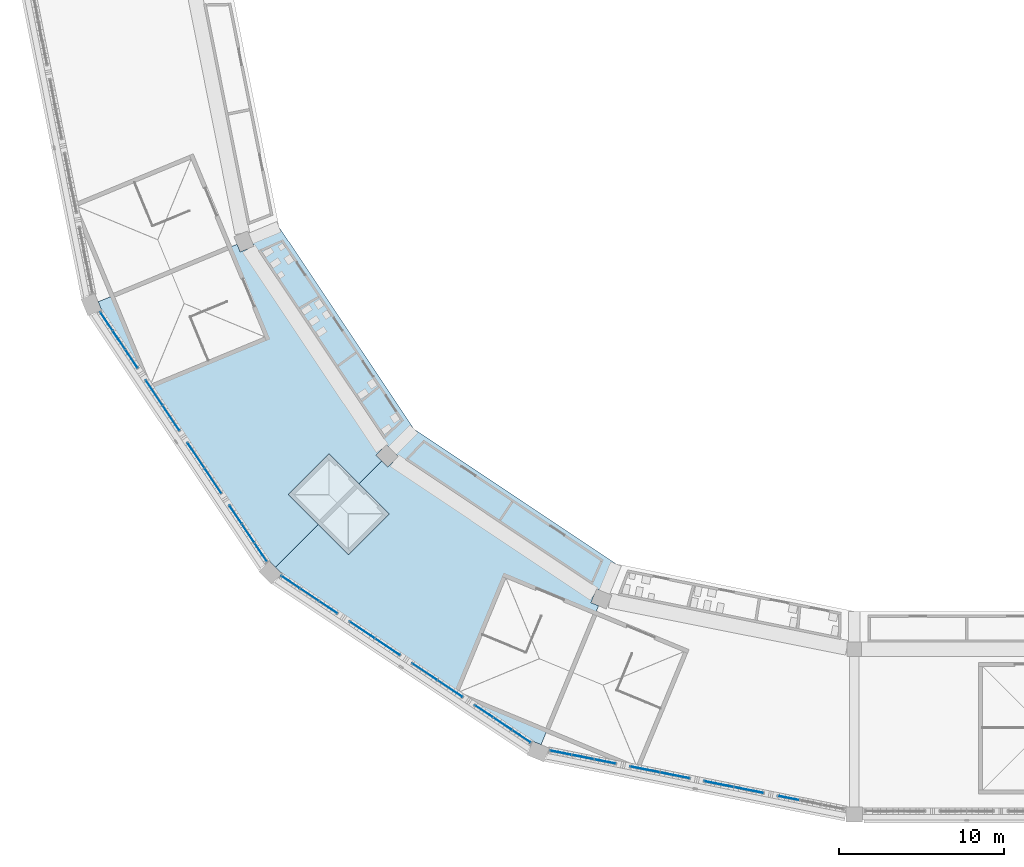
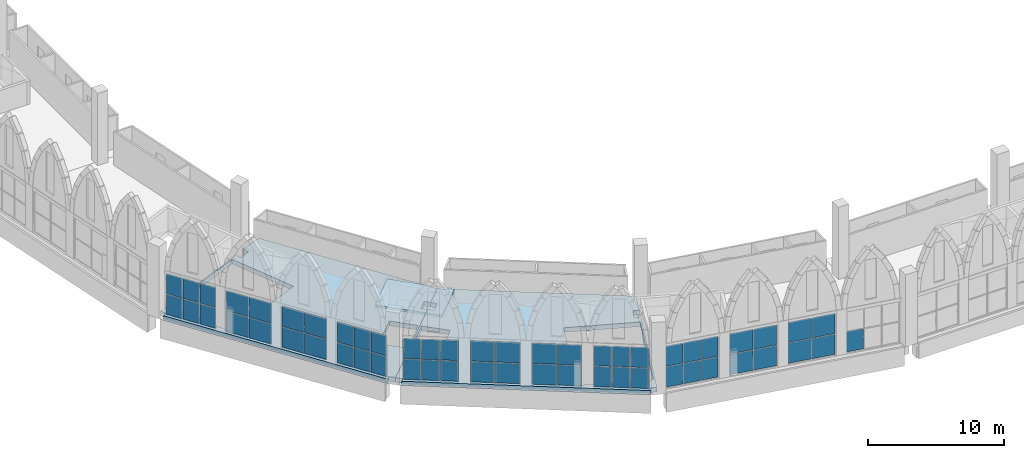
# One storey, part 48 of 130: 55 plates, 3 slabs, 12 elements without a shape of their own.
"""IFC4 building model written with IfcOpenShell, lengths in metres."""

import ifcopenshell
import ifcopenshell.guid

model = None  # the IFC model being written
_history = None  # IfcOwnerHistory: only IFC2X3 demands one
_inside = {}  # id of a spatial element -> (the spatial element, [elements in it])
_under = {}  # id of a project, library or spatial element -> (it, [spatial elements below it])
_declared = {}  # id of a project -> (the project, [libraries it declares])
_typed = {}  # id of a type object -> (the type object, [elements of that type])
_made_of = {}  # id of a material, layer set ... -> (it, [elements and type objects made of it])


def new_model(schema):
    """Start an empty IFC model of exactly this schema.

    Asked for "IFC4X3", IfcOpenShell would pick the latest addendum, in which some entities
    have other attributes; the version numbers below select the first issue.
    IFC2X3 requires an IfcOwnerHistory on every rooted entity: one is made here for all.
    """
    global model, _history
    if schema == "IFC4X3":
        model = ifcopenshell.file(schema_version=(4, 3, 0, 0))
    else:
        model = ifcopenshell.file(schema=schema)
    _inside.clear()
    _under.clear()
    _declared.clear()
    _typed.clear()
    _made_of.clear()
    _history = None
    if model.schema == "IFC2X3":
        org = make("IfcOrganization", Name="unknown")
        user = make(
            "IfcPersonAndOrganization",
            ThePerson=make("IfcPerson", FamilyName="unknown"),
            TheOrganization=org,
        )
        app = make(
            "IfcApplication",
            ApplicationDeveloper=org,
            Version="unknown",
            ApplicationFullName="unknown",
            ApplicationIdentifier="unknown",
        )
        _history = make(
            "IfcOwnerHistory",
            OwningUser=user,
            OwningApplication=app,
            ChangeAction="ADDED",
            CreationDate=0,
        )
    return model


def make(cls, **values):
    """One entity of the class cls with the attributes given. An attribute that is None is left unset."""
    return model.create_entity(
        cls, **{name: value for name, value in values.items() if value is not None}
    )


def rooted(cls, **values):
    """An entity with a GlobalId (a new one), such as an element, a storey or a relation."""
    return make(cls, GlobalId=ifcopenshell.guid.new(), OwnerHistory=_history, **values)


def si_unit(unit_type, name, prefix=None):
    """IfcSIUnit, for example si_unit("LENGTHUNIT", "METRE", prefix="MILLI")."""
    return make("IfcSIUnit", UnitType=unit_type, Prefix=prefix, Name=name)


def assignment(units):
    """IfcUnitAssignment: the units of a project."""
    return None if units is None else make("IfcUnitAssignment", Units=units)


def point(xyz):
    """IfcCartesianPoint."""
    return None if xyz is None else make("IfcCartesianPoint", Coordinates=xyz)


def direction(xyz):
    """IfcDirection."""
    return None if xyz is None else make("IfcDirection", DirectionRatios=xyz)


def frame(location, z_axis=None, x_axis=None):
    """IfcAxis2Placement3D, a coordinate frame: its origin and axes. An axis left out is left unset."""
    return make(
        "IfcAxis2Placement3D",
        Location=point(location),
        Axis=direction(z_axis),
        RefDirection=direction(x_axis),
    )


def frame_2d(location, x_axis=None):
    """IfcAxis2Placement2D, a coordinate frame in the plane: its origin and x axis."""
    return make(
        "IfcAxis2Placement2D", Location=point(location), RefDirection=direction(x_axis)
    )


def origin():
    """The frame at (0, 0, 0) with its axes left unset."""
    return frame((0.0, 0.0, 0.0))


def origin_2d():
    """The frame at (0, 0) in the plane with its x axis left unset."""
    return frame_2d((0.0, 0.0))


def place(relative_to, where):
    """IfcLocalPlacement: puts the frame where relative to a parent placement (None: the world)."""
    return make(
        "IfcLocalPlacement", PlacementRelTo=relative_to, RelativePlacement=where
    )


def context(
    kind, dimensions, precision=None, world=None, true_north=None, identifier=None
):
    """IfcGeometricRepresentationContext, for example the 3D "Model" context."""
    return make(
        "IfcGeometricRepresentationContext",
        ContextIdentifier=identifier,
        ContextType=kind,
        CoordinateSpaceDimension=dimensions,
        Precision=precision,
        WorldCoordinateSystem=world,
        TrueNorth=true_north,
    )


def subcontext(parent, identifier, kind, view, scale=None):
    """IfcGeometricRepresentationSubContext, for example "Body" below "Model"."""
    return make(
        "IfcGeometricRepresentationSubContext",
        ContextIdentifier=identifier,
        ContextType=kind,
        ParentContext=parent,
        TargetScale=scale,
        TargetView=view,
    )


def project(units=None, contexts=None):
    """IfcProject with its units and contexts."""
    return rooted(
        "IfcProject",
        Name="project",
        RepresentationContexts=contexts,
        UnitsInContext=assignment(units),
    )


def spatial(cls, under=None, at=None, **own):
    """A site, building, storey or space (cls), placed at a placement, below another one or the project."""
    s = rooted(cls, ObjectPlacement=at, **own)
    if under is not None:
        _under.setdefault(under.id(), (under, []))[1].append(s)
    return s


def polyline(points):
    """IfcPolyline through the points."""
    return make("IfcPolyline", Points=[point(p) for p in points])


def profile(cls, at=None, kind="AREA", **sizes):
    """A parametric profile (cls). Its sizes go by their IFC names, for example OverallWidth=200.0."""
    return make(cls, ProfileType=kind, Position=at, **sizes)


def rectangle(**sizes):
    """IfcRectangleProfileDef."""
    return profile("IfcRectangleProfileDef", **sizes)


def outline(outer, holes=None, kind="AREA"):
    """IfcArbitraryClosedProfileDef: a profile drawn as a closed curve; with holes, ...WithVoids."""
    if holes is None:
        return make("IfcArbitraryClosedProfileDef", ProfileType=kind, OuterCurve=outer)
    return make(
        "IfcArbitraryProfileDefWithVoids",
        ProfileType=kind,
        OuterCurve=outer,
        InnerCurves=holes,
    )


def extrude(swept, where, along, depth):
    """IfcExtrudedAreaSolid: the profile swept, set in the frame where, extruded along a direction by depth."""
    return make(
        "IfcExtrudedAreaSolid",
        SweptArea=swept,
        Position=where,
        ExtrudedDirection=direction(along),
        Depth=depth,
    )


def shape(context_of_items, identifier, shape_type, items):
    """IfcShapeRepresentation: the items that make up one representation, for example the "Body"."""
    return make(
        "IfcShapeRepresentation",
        ContextOfItems=context_of_items,
        RepresentationIdentifier=identifier,
        RepresentationType=shape_type,
        Items=items,
    )


def material(Name=None, Category=None):
    """IfcMaterial."""
    return make("IfcMaterial", Name=Name, Category=Category)


def layer(
    of_material, thickness, ventilated=None, Name=None, Category=None, Priority=None
):
    """IfcMaterialLayer: one layer of a wall or slab, of a material (None: an air gap)."""
    return make(
        "IfcMaterialLayer",
        Material=of_material,
        LayerThickness=thickness,
        IsVentilated=ventilated,
        Name=Name,
        Category=Category,
        Priority=Priority,
    )


def layer_set(layers, Name=None):
    """IfcMaterialLayerSet."""
    return make("IfcMaterialLayerSet", MaterialLayers=layers, LayerSetName=Name)


def made_of(thing, what):
    """Note that an element or type object is made of a material, layer set ...; save() writes the relation."""
    if what is not None:
        _made_of.setdefault(what.id(), (what, []))[1].append(thing)
    return thing


def type_object(cls, material=None, **own):
    """A type object (cls), such as IfcWallType, which elements share."""
    return made_of(rooted(cls, **own), material)


def element(
    cls,
    number,
    at=None,
    inside=None,
    cuts=None,
    type_object=None,
    material=None,
    context=None,
    identifier="Body",
    shape_type=None,
    held_by="IfcProductDefinitionShape",
    body=None,
    shapes=None,
    **own,
):
    """One element of the class cls, such as IfcWall. Its Tag is "e" and its number.

    at: its placement. inside: the storey or other place that contains it. cuts: it is an
    opening in that element (IfcRelVoidsElement). A single representation is given by context,
    identifier, shape_type and body (its items); several are given by shapes. held_by: the class
    of the entity that holds the representations. save() writes the other relations.
    """
    e = rooted(cls, Tag="e%d" % number, ObjectPlacement=at, **own)
    if body is not None:
        shapes = [shape(context, identifier, shape_type, body)]
    if shapes is not None:
        e.Representation = make(held_by, Representations=shapes)
    if inside is not None:
        _inside.setdefault(inside.id(), (inside, []))[1].append(e)
    if cuts is not None:
        rooted(
            "IfcRelVoidsElement", RelatingBuildingElement=cuts, RelatedOpeningElement=e
        )
    if type_object is not None:
        _typed.setdefault(type_object.id(), (type_object, []))[1].append(e)
    return made_of(e, material)


def aggregate(whole, parts):
    """IfcRelAggregates: a whole, such as a stair, and the parts it consists of."""
    return rooted("IfcRelAggregates", RelatingObject=whole, RelatedObjects=parts)


def save(model, path):
    """Write the relations noted so far, then the file.

    IfcRelAggregates (storeys below a building ...), IfcRelContainedInSpatialStructure (elements
    in a storey), IfcRelDefinesByType, IfcRelAssociatesMaterial and IfcRelDeclares: one each for
    every whole, place, type object, material and project.
    """
    for whole, parts in _under.values():
        aggregate(whole, parts)
    for where, things in _inside.values():
        rooted(
            "IfcRelContainedInSpatialStructure",
            RelatedElements=things,
            RelatingStructure=where,
        )
    for kind, things in _typed.values():
        rooted("IfcRelDefinesByType", RelatedObjects=things, RelatingType=kind)
    for what, things in _made_of.values():
        rooted("IfcRelAssociatesMaterial", RelatedObjects=things, RelatingMaterial=what)
    for by, libraries in _declared.values():
        rooted("IfcRelDeclares", RelatingContext=by, RelatedDefinitions=libraries)
    model.write(path)


model = new_model("IFC4")

# Units and contexts
model_context = context("Model", 3, precision=1e-05, world=origin(), true_north=direction((0.0, 1.0)))
body_context = subcontext(model_context, "Body", "Model", "MODEL_VIEW")
ifc_project = project(units=[si_unit("LENGTHUNIT", "METRE"), si_unit("AREAUNIT", "SQUARE_METRE"), si_unit("VOLUMEUNIT", "CUBIC_METRE"), si_unit("PLANEANGLEUNIT", "RADIAN"), si_unit("MASSUNIT", "GRAM", prefix="KILO")], contexts=[model_context])

# Site, building, storey
site_placement = place(None, origin())
site = spatial("IfcSite", under=ifc_project, at=site_placement, CompositionType="ELEMENT")
building_placement = place(site_placement, origin())
building = spatial("IfcBuilding", under=site, at=building_placement, Name="Ogive Plaza Stadium", CompositionType="ELEMENT")
storey_placement = place(building_placement, frame((0.0, 0.0, 22.5)))
storey = spatial("IfcBuildingStorey", under=building, at=storey_placement, Name="L05", CompositionType="ELEMENT", Elevation=22.5)

# Curtain wall, plate
ifc_material_1 = material(Name="Bronze-anodised aluminium with laminated glass", Category="aluminium")
curtain_wall_type = type_object("IfcCurtainWallType", Name="Lancet curtain wall", PredefinedType="NOTDEFINED", material=ifc_material_1)
curtain_wall_1_placement = place(storey_placement, origin())
curtain_wall_1 = element("IfcCurtainWall", 1, at=curtain_wall_1_placement, inside=storey, type_object=curtain_wall_type, Name="CURTAIN WALL B17 L05", PredefinedType="NOTDEFINED")
ifc_material_2 = material(Name="Laminated glass", Category="glass")
ifc_layer_1 = layer(ifc_material_2, 0.028076171875)
ifc_layer_set_1 = layer_set([ifc_layer_1], Name="Laminated glass panel 28")
plate_type = type_object("IfcPlateType", Name="Laminated glass panel 28", PredefinedType="CURTAIN_PANEL", material=ifc_layer_set_1)
plate_1_placement = place(storey_placement, frame((-37.974365234375, -101.505615234375, 0.0498046875), z_axis=(0.0, 0.0, 1.0), x_axis=(-0.980785280413, 0.195090321965, 0.0)))
plate_1 = element("IfcPlate", 2, at=plate_1_placement, type_object=plate_type, Name="CW-B17-L05.1 panel 3.1", PredefinedType="CURTAIN_PANEL", context=body_context, shape_type="SweptSolid", body=[
    extrude(rectangle(XDim=1.310791015625, YDim=0.028076171875, at=origin_2d()), origin(), (0.0, 0.0, 1.0), 1.824951171875),
])
aggregate(curtain_wall_1, [plate_1])

# Curtain wall, plates
curtain_wall_2_placement = place(storey_placement, origin())
curtain_wall_2 = element("IfcCurtainWall", 3, at=curtain_wall_2_placement, inside=storey, type_object=curtain_wall_type, Name="CURTAIN WALL B17 L05", PredefinedType="NOTDEFINED")
plate_2_placement = place(storey_placement, frame((-40.38427734375, -101.026123046875, 0.0498046875), z_axis=(0.0, 0.0, 1.0), x_axis=(-0.980785280427, 0.195090321896, 0.0)))
plate_2 = element("IfcPlate", 4, at=plate_2_placement, type_object=plate_type, Name="CW-B17-L05.2 panel 1.1", PredefinedType="CURTAIN_PANEL", context=body_context, shape_type="SweptSolid", body=[
    extrude(rectangle(XDim=1.803466796875, YDim=0.028076171875, at=origin_2d()), origin(), (0.0, 0.0, 1.0), 1.824951171875),
])
plate_3_placement = place(storey_placement, frame((-40.38427734375, -101.026123046875, 1.9248046875), z_axis=(0.0, 0.0, 1.0), x_axis=(-0.980785280427, 0.195090321896, 0.0)))
plate_3 = element("IfcPlate", 5, at=plate_3_placement, type_object=plate_type, Name="CW-B17-L05.2 panel 1.2", PredefinedType="CURTAIN_PANEL", context=body_context, shape_type="SweptSolid", body=[
    extrude(rectangle(XDim=1.803466796875, YDim=0.028076171875, at=origin_2d()), origin(), (0.0, 0.0, 1.0), 1.824951171875),
])
plate_4_placement = place(storey_placement, frame((-42.2021484375, -100.66455078125, 0.0498046875), z_axis=(0.0, 0.0, 1.0), x_axis=(-0.980785280427, 0.195090321896, 0.0)))
plate_4 = element("IfcPlate", 6, at=plate_4_placement, type_object=plate_type, Name="CW-B17-L05.2 panel 2.1", PredefinedType="CURTAIN_PANEL", context=body_context, shape_type="SweptSolid", body=[
    extrude(rectangle(XDim=1.803466796875, YDim=0.028076171875, at=origin_2d()), origin(), (0.0, 0.0, 1.0), 1.824951171875),
])
plate_5_placement = place(storey_placement, frame((-42.2021484375, -100.66455078125, 1.9248046875), z_axis=(0.0, 0.0, 1.0), x_axis=(-0.980785280427, 0.195090321896, 0.0)))
plate_5 = element("IfcPlate", 7, at=plate_5_placement, type_object=plate_type, Name="CW-B17-L05.2 panel 2.2", PredefinedType="CURTAIN_PANEL", context=body_context, shape_type="SweptSolid", body=[
    extrude(rectangle(XDim=1.803466796875, YDim=0.028076171875, at=origin_2d()), origin(), (0.0, 0.0, 1.0), 1.824951171875),
])
aggregate(curtain_wall_2, [plate_2, plate_3, plate_4, plate_5])

curtain_wall_3_placement = place(storey_placement, origin())
curtain_wall_3 = element("IfcCurtainWall", 8, at=curtain_wall_3_placement, inside=storey, type_object=curtain_wall_type, Name="CURTAIN WALL B17 L05", PredefinedType="NOTDEFINED")
plate_6_placement = place(storey_placement, frame((-44.853759765625, -100.13720703125, 0.0498046875), z_axis=(0.0, 0.0, 1.0), x_axis=(-0.980785280376, 0.195090322153, 0.0)))
plate_6 = element("IfcPlate", 9, at=plate_6_placement, type_object=plate_type, Name="CW-B17-L05.3 panel 1.1", PredefinedType="CURTAIN_PANEL", context=body_context, shape_type="SweptSolid", body=[
    extrude(rectangle(XDim=1.803466796875, YDim=0.028076171875, at=origin_2d()), origin(), (0.0, 0.0, 1.0), 1.824951171875),
])
plate_7_placement = place(storey_placement, frame((-44.853759765625, -100.13720703125, 1.9248046875), z_axis=(0.0, 0.0, 1.0), x_axis=(-0.980785280376, 0.195090322153, 0.0)))
plate_7 = element("IfcPlate", 10, at=plate_7_placement, type_object=plate_type, Name="CW-B17-L05.3 panel 1.2", PredefinedType="CURTAIN_PANEL", context=body_context, shape_type="SweptSolid", body=[
    extrude(rectangle(XDim=1.803466796875, YDim=0.028076171875, at=origin_2d()), origin(), (0.0, 0.0, 1.0), 1.824951171875),
])
plate_8_placement = place(storey_placement, frame((-46.671875, -99.775390625, 0.0498046875), z_axis=(0.0, 0.0, 1.0), x_axis=(-0.980785280376, 0.195090322153, 0.0)))
plate_8 = element("IfcPlate", 11, at=plate_8_placement, type_object=plate_type, Name="CW-B17-L05.3 panel 2.1", PredefinedType="CURTAIN_PANEL", context=body_context, shape_type="SweptSolid", body=[
    extrude(rectangle(XDim=1.803466796875, YDim=0.028076171875, at=origin_2d()), origin(), (0.0, 0.0, 1.0), 1.824951171875),
])
plate_9_placement = place(storey_placement, frame((-46.671875, -99.775390625, 1.9248046875), z_axis=(0.0, 0.0, 1.0), x_axis=(-0.980785280376, 0.195090322153, 0.0)))
plate_9 = element("IfcPlate", 12, at=plate_9_placement, type_object=plate_type, Name="CW-B17-L05.3 panel 2.2", PredefinedType="CURTAIN_PANEL", context=body_context, shape_type="SweptSolid", body=[
    extrude(rectangle(XDim=1.803466796875, YDim=0.028076171875, at=origin_2d()), origin(), (0.0, 0.0, 1.0), 1.824951171875),
])
aggregate(curtain_wall_3, [plate_6, plate_7, plate_8, plate_9])

curtain_wall_4_placement = place(storey_placement, origin())
curtain_wall_4 = element("IfcCurtainWall", 13, at=curtain_wall_4_placement, inside=storey, type_object=curtain_wall_type, Name="CURTAIN WALL B17 L05", PredefinedType="NOTDEFINED")
plate_10_placement = place(storey_placement, frame((-49.081787109375, -99.296142578125, 0.0498046875), z_axis=(0.0, 0.0, 1.0), x_axis=(-0.980785280413, 0.195090321965, 0.0)))
plate_10 = element("IfcPlate", 14, at=plate_10_placement, type_object=plate_type, Name="CW-B17-L05.4 panel 1.1", PredefinedType="CURTAIN_PANEL", context=body_context, shape_type="SweptSolid", body=[
    extrude(rectangle(XDim=1.310791015625, YDim=0.028076171875, at=origin_2d()), origin(), (0.0, 0.0, 1.0), 1.824951171875),
])
plate_11_placement = place(storey_placement, frame((-49.081787109375, -99.296142578125, 1.9248046875), z_axis=(0.0, 0.0, 1.0), x_axis=(-0.980785280413, 0.195090321965, 0.0)))
plate_11 = element("IfcPlate", 15, at=plate_11_placement, type_object=plate_type, Name="CW-B17-L05.4 panel 1.2", PredefinedType="CURTAIN_PANEL", context=body_context, shape_type="SweptSolid", body=[
    extrude(rectangle(XDim=1.310791015625, YDim=0.028076171875, at=origin_2d()), origin(), (0.0, 0.0, 1.0), 1.824951171875),
])
plate_12_placement = place(storey_placement, frame((-50.428466796875, -99.0283203125, 0.0498046875), z_axis=(0.0, 0.0, 1.0), x_axis=(-0.980785280413, 0.195090321965, 0.0)))
plate_12 = element("IfcPlate", 16, at=plate_12_placement, type_object=plate_type, Name="CW-B17-L05.4 panel 2.1", PredefinedType="CURTAIN_PANEL", context=body_context, shape_type="SweptSolid", body=[
    extrude(rectangle(XDim=1.335693359375, YDim=0.028076171875, at=origin_2d()), origin(), (0.0, 0.0, 1.0), 1.824951171875),
])
plate_13_placement = place(storey_placement, frame((-50.428466796875, -99.0283203125, 1.9248046875), z_axis=(0.0, 0.0, 1.0), x_axis=(-0.980785280413, 0.195090321965, 0.0)))
plate_13 = element("IfcPlate", 17, at=plate_13_placement, type_object=plate_type, Name="CW-B17-L05.4 panel 2.2", PredefinedType="CURTAIN_PANEL", context=body_context, shape_type="SweptSolid", body=[
    extrude(rectangle(XDim=1.335693359375, YDim=0.028076171875, at=origin_2d()), origin(), (0.0, 0.0, 1.0), 1.824951171875),
])
plate_14_placement = place(storey_placement, frame((-51.775390625, -98.76025390625, 0.0498046875), z_axis=(0.0, 0.0, 1.0), x_axis=(-0.980785280413, 0.195090321965, 0.0)))
plate_14 = element("IfcPlate", 18, at=plate_14_placement, type_object=plate_type, Name="CW-B17-L05.4 panel 3.1", PredefinedType="CURTAIN_PANEL", context=body_context, shape_type="SweptSolid", body=[
    extrude(rectangle(XDim=1.310791015625, YDim=0.028076171875, at=origin_2d()), origin(), (0.0, 0.0, 1.0), 1.824951171875),
])
plate_15_placement = place(storey_placement, frame((-51.775390625, -98.76025390625, 1.9248046875), z_axis=(0.0, 0.0, 1.0), x_axis=(-0.980785280413, 0.195090321965, 0.0)))
plate_15 = element("IfcPlate", 19, at=plate_15_placement, type_object=plate_type, Name="CW-B17-L05.4 panel 3.2", PredefinedType="CURTAIN_PANEL", context=body_context, shape_type="SweptSolid", body=[
    extrude(rectangle(XDim=1.310791015625, YDim=0.028076171875, at=origin_2d()), origin(), (0.0, 0.0, 1.0), 1.824951171875),
])
aggregate(curtain_wall_4, [plate_10, plate_11, plate_12, plate_13, plate_14, plate_15])

curtain_wall_5_placement = place(storey_placement, origin())
curtain_wall_5 = element("IfcCurtainWall", 20, at=curtain_wall_5_placement, inside=storey, type_object=curtain_wall_type, Name="CURTAIN WALL B18 L05", PredefinedType="NOTDEFINED")
plate_16_placement = place(storey_placement, frame((-54.141845703125, -97.780029296875, 0.0498046875), z_axis=(0.0, 0.0, 1.0), x_axis=(-0.83146961239, 0.555570232889, 0.0)))
plate_16 = element("IfcPlate", 21, at=plate_16_placement, type_object=plate_type, Name="CW-B18-L05.1 panel 1.1", PredefinedType="CURTAIN_PANEL", context=body_context, shape_type="SweptSolid", body=[
    extrude(rectangle(XDim=1.310791015625, YDim=0.028076171875, at=origin_2d()), origin(), (0.0, 0.0, 1.0), 1.824951171875),
])
plate_17_placement = place(storey_placement, frame((-54.141845703125, -97.780029296875, 1.9248046875), z_axis=(0.0, 0.0, 1.0), x_axis=(-0.83146961239, 0.555570232889, 0.0)))
plate_17 = element("IfcPlate", 22, at=plate_17_placement, type_object=plate_type, Name="CW-B18-L05.1 panel 1.2", PredefinedType="CURTAIN_PANEL", context=body_context, shape_type="SweptSolid", body=[
    extrude(rectangle(XDim=1.310791015625, YDim=0.028076171875, at=origin_2d()), origin(), (0.0, 0.0, 1.0), 1.824951171875),
])
plate_18_placement = place(storey_placement, frame((-55.28369140625, -97.01708984375, 0.0498046875), z_axis=(0.0, 0.0, 1.0), x_axis=(-0.83146961239, 0.555570232889, 0.0)))
plate_18 = element("IfcPlate", 23, at=plate_18_placement, type_object=plate_type, Name="CW-B18-L05.1 panel 2.1", PredefinedType="CURTAIN_PANEL", context=body_context, shape_type="SweptSolid", body=[
    extrude(rectangle(XDim=1.335693359375, YDim=0.028076171875, at=origin_2d()), origin(), (0.0, 0.0, 1.0), 1.824951171875),
])
plate_19_placement = place(storey_placement, frame((-55.28369140625, -97.01708984375, 1.9248046875), z_axis=(0.0, 0.0, 1.0), x_axis=(-0.83146961239, 0.555570232889, 0.0)))
plate_19 = element("IfcPlate", 24, at=plate_19_placement, type_object=plate_type, Name="CW-B18-L05.1 panel 2.2", PredefinedType="CURTAIN_PANEL", context=body_context, shape_type="SweptSolid", body=[
    extrude(rectangle(XDim=1.335693359375, YDim=0.028076171875, at=origin_2d()), origin(), (0.0, 0.0, 1.0), 1.824951171875),
])
plate_20_placement = place(storey_placement, frame((-56.425537109375, -96.254150390625, 0.0498046875), z_axis=(0.0, 0.0, 1.0), x_axis=(-0.83146961239, 0.555570232889, 0.0)))
plate_20 = element("IfcPlate", 25, at=plate_20_placement, type_object=plate_type, Name="CW-B18-L05.1 panel 3.1", PredefinedType="CURTAIN_PANEL", context=body_context, shape_type="SweptSolid", body=[
    extrude(rectangle(XDim=1.310791015625, YDim=0.028076171875, at=origin_2d()), origin(), (0.0, 0.0, 1.0), 1.824951171875),
])
plate_21_placement = place(storey_placement, frame((-56.425537109375, -96.254150390625, 1.9248046875), z_axis=(0.0, 0.0, 1.0), x_axis=(-0.83146961239, 0.555570232889, 0.0)))
plate_21 = element("IfcPlate", 26, at=plate_21_placement, type_object=plate_type, Name="CW-B18-L05.1 panel 3.2", PredefinedType="CURTAIN_PANEL", context=body_context, shape_type="SweptSolid", body=[
    extrude(rectangle(XDim=1.310791015625, YDim=0.028076171875, at=origin_2d()), origin(), (0.0, 0.0, 1.0), 1.824951171875),
])
aggregate(curtain_wall_5, [plate_16, plate_17, plate_18, plate_19, plate_20, plate_21])

curtain_wall_6_placement = place(storey_placement, origin())
curtain_wall_6 = element("IfcCurtainWall", 27, at=curtain_wall_6_placement, inside=storey, type_object=curtain_wall_type, Name="CURTAIN WALL B18 L05", PredefinedType="NOTDEFINED")
plate_22_placement = place(storey_placement, frame((-58.468505859375, -94.88916015625, 0.0498046875), z_axis=(0.0, 0.0, 1.0), x_axis=(-0.831469612157, 0.555570233237, 0.0)))
plate_22 = element("IfcPlate", 28, at=plate_22_placement, type_object=plate_type, Name="CW-B18-L05.2 panel 1.1", PredefinedType="CURTAIN_PANEL", context=body_context, shape_type="SweptSolid", body=[
    extrude(rectangle(XDim=1.803466796875, YDim=0.028076171875, at=origin_2d()), origin(), (0.0, 0.0, 1.0), 1.824951171875),
])
plate_23_placement = place(storey_placement, frame((-58.468505859375, -94.88916015625, 1.9248046875), z_axis=(0.0, 0.0, 1.0), x_axis=(-0.831469612157, 0.555570233237, 0.0)))
plate_23 = element("IfcPlate", 29, at=plate_23_placement, type_object=plate_type, Name="CW-B18-L05.2 panel 1.2", PredefinedType="CURTAIN_PANEL", context=body_context, shape_type="SweptSolid", body=[
    extrude(rectangle(XDim=1.803466796875, YDim=0.028076171875, at=origin_2d()), origin(), (0.0, 0.0, 1.0), 1.824951171875),
])
plate_24_placement = place(storey_placement, frame((-60.009765625, -93.859375, 0.0498046875), z_axis=(0.0, 0.0, 1.0), x_axis=(-0.831469612157, 0.555570233237, 0.0)))
plate_24 = element("IfcPlate", 30, at=plate_24_placement, type_object=plate_type, Name="CW-B18-L05.2 panel 2.1", PredefinedType="CURTAIN_PANEL", context=body_context, shape_type="SweptSolid", body=[
    extrude(rectangle(XDim=1.803466796875, YDim=0.028076171875, at=origin_2d()), origin(), (0.0, 0.0, 1.0), 1.824951171875),
])
plate_25_placement = place(storey_placement, frame((-60.009765625, -93.859375, 1.9248046875), z_axis=(0.0, 0.0, 1.0), x_axis=(-0.831469612157, 0.555570233237, 0.0)))
plate_25 = element("IfcPlate", 31, at=plate_25_placement, type_object=plate_type, Name="CW-B18-L05.2 panel 2.2", PredefinedType="CURTAIN_PANEL", context=body_context, shape_type="SweptSolid", body=[
    extrude(rectangle(XDim=1.803466796875, YDim=0.028076171875, at=origin_2d()), origin(), (0.0, 0.0, 1.0), 1.824951171875),
])
aggregate(curtain_wall_6, [plate_22, plate_23, plate_24, plate_25])

curtain_wall_7_placement = place(storey_placement, origin())
curtain_wall_7 = element("IfcCurtainWall", 32, at=curtain_wall_7_placement, inside=storey, type_object=curtain_wall_type, Name="CURTAIN WALL B18 L05", PredefinedType="NOTDEFINED")
plate_26_placement = place(storey_placement, frame((-62.257568359375, -92.357421875, 0.0498046875), z_axis=(0.0, 0.0, 1.0), x_axis=(-0.831469612235, 0.555570233121, 0.0)))
plate_26 = element("IfcPlate", 33, at=plate_26_placement, type_object=plate_type, Name="CW-B18-L05.3 panel 1.1", PredefinedType="CURTAIN_PANEL", context=body_context, shape_type="SweptSolid", body=[
    extrude(rectangle(XDim=1.803466796875, YDim=0.028076171875, at=origin_2d()), origin(), (0.0, 0.0, 1.0), 1.824951171875),
])
plate_27_placement = place(storey_placement, frame((-62.257568359375, -92.357421875, 1.9248046875), z_axis=(0.0, 0.0, 1.0), x_axis=(-0.831469612235, 0.555570233121, 0.0)))
plate_27 = element("IfcPlate", 34, at=plate_27_placement, type_object=plate_type, Name="CW-B18-L05.3 panel 1.2", PredefinedType="CURTAIN_PANEL", context=body_context, shape_type="SweptSolid", body=[
    extrude(rectangle(XDim=1.803466796875, YDim=0.028076171875, at=origin_2d()), origin(), (0.0, 0.0, 1.0), 1.824951171875),
])
plate_28_placement = place(storey_placement, frame((-63.798828125, -91.32763671875, 0.0498046875), z_axis=(0.0, 0.0, 1.0), x_axis=(-0.831469612235, 0.555570233121, 0.0)))
plate_28 = element("IfcPlate", 35, at=plate_28_placement, type_object=plate_type, Name="CW-B18-L05.3 panel 2.1", PredefinedType="CURTAIN_PANEL", context=body_context, shape_type="SweptSolid", body=[
    extrude(rectangle(XDim=1.803466796875, YDim=0.028076171875, at=origin_2d()), origin(), (0.0, 0.0, 1.0), 1.824951171875),
])
plate_29_placement = place(storey_placement, frame((-63.798828125, -91.32763671875, 1.9248046875), z_axis=(0.0, 0.0, 1.0), x_axis=(-0.831469612235, 0.555570233121, 0.0)))
plate_29 = element("IfcPlate", 36, at=plate_29_placement, type_object=plate_type, Name="CW-B18-L05.3 panel 2.2", PredefinedType="CURTAIN_PANEL", context=body_context, shape_type="SweptSolid", body=[
    extrude(rectangle(XDim=1.803466796875, YDim=0.028076171875, at=origin_2d()), origin(), (0.0, 0.0, 1.0), 1.824951171875),
])
aggregate(curtain_wall_7, [plate_26, plate_27, plate_28, plate_29])

curtain_wall_8_placement = place(storey_placement, origin())
curtain_wall_8 = element("IfcCurtainWall", 37, at=curtain_wall_8_placement, inside=storey, type_object=curtain_wall_type, Name="CURTAIN WALL B18 L05", PredefinedType="NOTDEFINED")
plate_30_placement = place(storey_placement, frame((-65.841796875, -89.96240234375, 0.0498046875), z_axis=(0.0, 0.0, 1.0), x_axis=(-0.831469612312, 0.555570233005, 0.0)))
plate_30 = element("IfcPlate", 38, at=plate_30_placement, type_object=plate_type, Name="CW-B18-L05.4 panel 1.1", PredefinedType="CURTAIN_PANEL", context=body_context, shape_type="SweptSolid", body=[
    extrude(rectangle(XDim=1.310791015625, YDim=0.028076171875, at=origin_2d()), origin(), (0.0, 0.0, 1.0), 1.824951171875),
])
plate_31_placement = place(storey_placement, frame((-65.841796875, -89.96240234375, 1.9248046875), z_axis=(0.0, 0.0, 1.0), x_axis=(-0.831469612312, 0.555570233005, 0.0)))
plate_31 = element("IfcPlate", 39, at=plate_31_placement, type_object=plate_type, Name="CW-B18-L05.4 panel 1.2", PredefinedType="CURTAIN_PANEL", context=body_context, shape_type="SweptSolid", body=[
    extrude(rectangle(XDim=1.310791015625, YDim=0.028076171875, at=origin_2d()), origin(), (0.0, 0.0, 1.0), 1.824951171875),
])
plate_32_placement = place(storey_placement, frame((-66.983642578125, -89.199462890625, 0.0498046875), z_axis=(0.0, 0.0, 1.0), x_axis=(-0.831469612312, 0.555570233005, 0.0)))
plate_32 = element("IfcPlate", 40, at=plate_32_placement, type_object=plate_type, Name="CW-B18-L05.4 panel 2.1", PredefinedType="CURTAIN_PANEL", context=body_context, shape_type="SweptSolid", body=[
    extrude(rectangle(XDim=1.335693359375, YDim=0.028076171875, at=origin_2d()), origin(), (0.0, 0.0, 1.0), 1.824951171875),
])
plate_33_placement = place(storey_placement, frame((-66.983642578125, -89.199462890625, 1.9248046875), z_axis=(0.0, 0.0, 1.0), x_axis=(-0.831469612312, 0.555570233005, 0.0)))
plate_33 = element("IfcPlate", 41, at=plate_33_placement, type_object=plate_type, Name="CW-B18-L05.4 panel 2.2", PredefinedType="CURTAIN_PANEL", context=body_context, shape_type="SweptSolid", body=[
    extrude(rectangle(XDim=1.335693359375, YDim=0.028076171875, at=origin_2d()), origin(), (0.0, 0.0, 1.0), 1.824951171875),
])
plate_34_placement = place(storey_placement, frame((-68.125244140625, -88.436767578125, 0.0498046875), z_axis=(0.0, 0.0, 1.0), x_axis=(-0.831469612312, 0.555570233005, 0.0)))
plate_34 = element("IfcPlate", 42, at=plate_34_placement, type_object=plate_type, Name="CW-B18-L05.4 panel 3.1", PredefinedType="CURTAIN_PANEL", context=body_context, shape_type="SweptSolid", body=[
    extrude(rectangle(XDim=1.310791015625, YDim=0.028076171875, at=origin_2d()), origin(), (0.0, 0.0, 1.0), 1.824951171875),
])
plate_35_placement = place(storey_placement, frame((-68.125244140625, -88.436767578125, 1.9248046875), z_axis=(0.0, 0.0, 1.0), x_axis=(-0.831469612312, 0.555570233005, 0.0)))
plate_35 = element("IfcPlate", 43, at=plate_35_placement, type_object=plate_type, Name="CW-B18-L05.4 panel 3.2", PredefinedType="CURTAIN_PANEL", context=body_context, shape_type="SweptSolid", body=[
    extrude(rectangle(XDim=1.310791015625, YDim=0.028076171875, at=origin_2d()), origin(), (0.0, 0.0, 1.0), 1.824951171875),
])
aggregate(curtain_wall_8, [plate_30, plate_31, plate_32, plate_33, plate_34, plate_35])

curtain_wall_9_placement = place(storey_placement, origin())
curtain_wall_9 = element("IfcCurtainWall", 44, at=curtain_wall_9_placement, inside=storey, type_object=curtain_wall_type, Name="CURTAIN WALL B19 L05", PredefinedType="NOTDEFINED")
plate_36_placement = place(storey_placement, frame((-69.936767578125, -86.625244140625, 0.0498046875), z_axis=(0.0, 0.0, 1.0), x_axis=(-0.555570233005, 0.831469612312, 0.0)))
plate_36 = element("IfcPlate", 45, at=plate_36_placement, type_object=plate_type, Name="CW-B19-L05.1 panel 1.1", PredefinedType="CURTAIN_PANEL", context=body_context, shape_type="SweptSolid", body=[
    extrude(rectangle(XDim=1.310791015625, YDim=0.028076171875, at=origin_2d()), origin(), (0.0, 0.0, 1.0), 1.824951171875),
])
plate_37_placement = place(storey_placement, frame((-69.936767578125, -86.625244140625, 1.9248046875), z_axis=(0.0, 0.0, 1.0), x_axis=(-0.555570233005, 0.831469612312, 0.0)))
plate_37 = element("IfcPlate", 46, at=plate_37_placement, type_object=plate_type, Name="CW-B19-L05.1 panel 1.2", PredefinedType="CURTAIN_PANEL", context=body_context, shape_type="SweptSolid", body=[
    extrude(rectangle(XDim=1.310791015625, YDim=0.028076171875, at=origin_2d()), origin(), (0.0, 0.0, 1.0), 1.824951171875),
])
plate_38_placement = place(storey_placement, frame((-70.699462890625, -85.483642578125, 0.0498046875), z_axis=(0.0, 0.0, 1.0), x_axis=(-0.555570233005, 0.831469612312, 0.0)))
plate_38 = element("IfcPlate", 47, at=plate_38_placement, type_object=plate_type, Name="CW-B19-L05.1 panel 2.1", PredefinedType="CURTAIN_PANEL", context=body_context, shape_type="SweptSolid", body=[
    extrude(rectangle(XDim=1.335693359375, YDim=0.028076171875, at=origin_2d()), origin(), (0.0, 0.0, 1.0), 1.824951171875),
])
plate_39_placement = place(storey_placement, frame((-70.699462890625, -85.483642578125, 1.9248046875), z_axis=(0.0, 0.0, 1.0), x_axis=(-0.555570233005, 0.831469612312, 0.0)))
plate_39 = element("IfcPlate", 48, at=plate_39_placement, type_object=plate_type, Name="CW-B19-L05.1 panel 2.2", PredefinedType="CURTAIN_PANEL", context=body_context, shape_type="SweptSolid", body=[
    extrude(rectangle(XDim=1.335693359375, YDim=0.028076171875, at=origin_2d()), origin(), (0.0, 0.0, 1.0), 1.824951171875),
])
plate_40_placement = place(storey_placement, frame((-71.46240234375, -84.341796875, 0.0498046875), z_axis=(0.0, 0.0, 1.0), x_axis=(-0.555570233005, 0.831469612312, 0.0)))
plate_40 = element("IfcPlate", 49, at=plate_40_placement, type_object=plate_type, Name="CW-B19-L05.1 panel 3.1", PredefinedType="CURTAIN_PANEL", context=body_context, shape_type="SweptSolid", body=[
    extrude(rectangle(XDim=1.310791015625, YDim=0.028076171875, at=origin_2d()), origin(), (0.0, 0.0, 1.0), 1.824951171875),
])
plate_41_placement = place(storey_placement, frame((-71.46240234375, -84.341796875, 1.9248046875), z_axis=(0.0, 0.0, 1.0), x_axis=(-0.555570233005, 0.831469612312, 0.0)))
plate_41 = element("IfcPlate", 50, at=plate_41_placement, type_object=plate_type, Name="CW-B19-L05.1 panel 3.2", PredefinedType="CURTAIN_PANEL", context=body_context, shape_type="SweptSolid", body=[
    extrude(rectangle(XDim=1.310791015625, YDim=0.028076171875, at=origin_2d()), origin(), (0.0, 0.0, 1.0), 1.824951171875),
])
aggregate(curtain_wall_9, [plate_36, plate_37, plate_38, plate_39, plate_40, plate_41])

curtain_wall_10_placement = place(storey_placement, origin())
curtain_wall_10 = element("IfcCurtainWall", 51, at=curtain_wall_10_placement, inside=storey, type_object=curtain_wall_type, Name="CURTAIN WALL B19 L05", PredefinedType="NOTDEFINED")
plate_42_placement = place(storey_placement, frame((-72.82763671875, -82.298828125, 0.0498046875), z_axis=(0.0, 0.0, 1.0), x_axis=(-0.555570233121, 0.831469612235, 0.0)))
plate_42 = element("IfcPlate", 52, at=plate_42_placement, type_object=plate_type, Name="CW-B19-L05.2 panel 1.1", PredefinedType="CURTAIN_PANEL", context=body_context, shape_type="SweptSolid", body=[
    extrude(rectangle(XDim=1.803466796875, YDim=0.028076171875, at=origin_2d()), origin(), (0.0, 0.0, 1.0), 1.824951171875),
])
plate_43_placement = place(storey_placement, frame((-72.82763671875, -82.298828125, 1.9248046875), z_axis=(0.0, 0.0, 1.0), x_axis=(-0.555570233121, 0.831469612235, 0.0)))
plate_43 = element("IfcPlate", 53, at=plate_43_placement, type_object=plate_type, Name="CW-B19-L05.2 panel 1.2", PredefinedType="CURTAIN_PANEL", context=body_context, shape_type="SweptSolid", body=[
    extrude(rectangle(XDim=1.803466796875, YDim=0.028076171875, at=origin_2d()), origin(), (0.0, 0.0, 1.0), 1.824951171875),
])
plate_44_placement = place(storey_placement, frame((-73.857421875, -80.757568359375, 0.0498046875), z_axis=(0.0, 0.0, 1.0), x_axis=(-0.555570233121, 0.831469612235, 0.0)))
plate_44 = element("IfcPlate", 54, at=plate_44_placement, type_object=plate_type, Name="CW-B19-L05.2 panel 2.1", PredefinedType="CURTAIN_PANEL", context=body_context, shape_type="SweptSolid", body=[
    extrude(rectangle(XDim=1.803466796875, YDim=0.028076171875, at=origin_2d()), origin(), (0.0, 0.0, 1.0), 1.824951171875),
])
plate_45_placement = place(storey_placement, frame((-73.857421875, -80.757568359375, 1.9248046875), z_axis=(0.0, 0.0, 1.0), x_axis=(-0.555570233121, 0.831469612235, 0.0)))
plate_45 = element("IfcPlate", 55, at=plate_45_placement, type_object=plate_type, Name="CW-B19-L05.2 panel 2.2", PredefinedType="CURTAIN_PANEL", context=body_context, shape_type="SweptSolid", body=[
    extrude(rectangle(XDim=1.803466796875, YDim=0.028076171875, at=origin_2d()), origin(), (0.0, 0.0, 1.0), 1.824951171875),
])
aggregate(curtain_wall_10, [plate_42, plate_43, plate_44, plate_45])

curtain_wall_11_placement = place(storey_placement, origin())
curtain_wall_11 = element("IfcCurtainWall", 56, at=curtain_wall_11_placement, inside=storey, type_object=curtain_wall_type, Name="CURTAIN WALL B19 L05", PredefinedType="NOTDEFINED")
plate_46_placement = place(storey_placement, frame((-75.359375, -78.509765625, 0.0498046875), z_axis=(0.0, 0.0, 1.0), x_axis=(-0.555570233237, 0.831469612157, 0.0)))
plate_46 = element("IfcPlate", 57, at=plate_46_placement, type_object=plate_type, Name="CW-B19-L05.3 panel 1.1", PredefinedType="CURTAIN_PANEL", context=body_context, shape_type="SweptSolid", body=[
    extrude(rectangle(XDim=1.803466796875, YDim=0.028076171875, at=origin_2d()), origin(), (0.0, 0.0, 1.0), 1.824951171875),
])
plate_47_placement = place(storey_placement, frame((-75.359375, -78.509765625, 1.9248046875), z_axis=(0.0, 0.0, 1.0), x_axis=(-0.555570233237, 0.831469612157, 0.0)))
plate_47 = element("IfcPlate", 58, at=plate_47_placement, type_object=plate_type, Name="CW-B19-L05.3 panel 1.2", PredefinedType="CURTAIN_PANEL", context=body_context, shape_type="SweptSolid", body=[
    extrude(rectangle(XDim=1.803466796875, YDim=0.028076171875, at=origin_2d()), origin(), (0.0, 0.0, 1.0), 1.824951171875),
])
plate_48_placement = place(storey_placement, frame((-76.38916015625, -76.968505859375, 0.0498046875), z_axis=(0.0, 0.0, 1.0), x_axis=(-0.555570233237, 0.831469612157, 0.0)))
plate_48 = element("IfcPlate", 59, at=plate_48_placement, type_object=plate_type, Name="CW-B19-L05.3 panel 2.1", PredefinedType="CURTAIN_PANEL", context=body_context, shape_type="SweptSolid", body=[
    extrude(rectangle(XDim=1.803466796875, YDim=0.028076171875, at=origin_2d()), origin(), (0.0, 0.0, 1.0), 1.824951171875),
])
plate_49_placement = place(storey_placement, frame((-76.38916015625, -76.968505859375, 1.9248046875), z_axis=(0.0, 0.0, 1.0), x_axis=(-0.555570233237, 0.831469612157, 0.0)))
plate_49 = element("IfcPlate", 60, at=plate_49_placement, type_object=plate_type, Name="CW-B19-L05.3 panel 2.2", PredefinedType="CURTAIN_PANEL", context=body_context, shape_type="SweptSolid", body=[
    extrude(rectangle(XDim=1.803466796875, YDim=0.028076171875, at=origin_2d()), origin(), (0.0, 0.0, 1.0), 1.824951171875),
])
aggregate(curtain_wall_11, [plate_46, plate_47, plate_48, plate_49])

curtain_wall_12_placement = place(storey_placement, origin())
curtain_wall_12 = element("IfcCurtainWall", 61, at=curtain_wall_12_placement, inside=storey, type_object=curtain_wall_type, Name="CURTAIN WALL B19 L05", PredefinedType="NOTDEFINED")
plate_50_placement = place(storey_placement, frame((-77.754150390625, -74.925537109375, 0.0498046875), z_axis=(0.0, 0.0, 1.0), x_axis=(-0.555570232889, 0.83146961239, 0.0)))
plate_50 = element("IfcPlate", 62, at=plate_50_placement, type_object=plate_type, Name="CW-B19-L05.4 panel 1.1", PredefinedType="CURTAIN_PANEL", context=body_context, shape_type="SweptSolid", body=[
    extrude(rectangle(XDim=1.310791015625, YDim=0.028076171875, at=origin_2d()), origin(), (0.0, 0.0, 1.0), 1.824951171875),
])
plate_51_placement = place(storey_placement, frame((-77.754150390625, -74.925537109375, 1.9248046875), z_axis=(0.0, 0.0, 1.0), x_axis=(-0.555570232889, 0.83146961239, 0.0)))
plate_51 = element("IfcPlate", 63, at=plate_51_placement, type_object=plate_type, Name="CW-B19-L05.4 panel 1.2", PredefinedType="CURTAIN_PANEL", context=body_context, shape_type="SweptSolid", body=[
    extrude(rectangle(XDim=1.310791015625, YDim=0.028076171875, at=origin_2d()), origin(), (0.0, 0.0, 1.0), 1.824951171875),
])
plate_52_placement = place(storey_placement, frame((-78.51708984375, -73.78369140625, 0.0498046875), z_axis=(0.0, 0.0, 1.0), x_axis=(-0.555570232889, 0.83146961239, 0.0)))
plate_52 = element("IfcPlate", 64, at=plate_52_placement, type_object=plate_type, Name="CW-B19-L05.4 panel 2.1", PredefinedType="CURTAIN_PANEL", context=body_context, shape_type="SweptSolid", body=[
    extrude(rectangle(XDim=1.335693359375, YDim=0.028076171875, at=origin_2d()), origin(), (0.0, 0.0, 1.0), 1.824951171875),
])
plate_53_placement = place(storey_placement, frame((-78.51708984375, -73.78369140625, 1.9248046875), z_axis=(0.0, 0.0, 1.0), x_axis=(-0.555570232889, 0.83146961239, 0.0)))
plate_53 = element("IfcPlate", 65, at=plate_53_placement, type_object=plate_type, Name="CW-B19-L05.4 panel 2.2", PredefinedType="CURTAIN_PANEL", context=body_context, shape_type="SweptSolid", body=[
    extrude(rectangle(XDim=1.335693359375, YDim=0.028076171875, at=origin_2d()), origin(), (0.0, 0.0, 1.0), 1.824951171875),
])
plate_54_placement = place(storey_placement, frame((-79.280029296875, -72.641845703125, 0.0498046875), z_axis=(0.0, 0.0, 1.0), x_axis=(-0.555570232889, 0.83146961239, 0.0)))
plate_54 = element("IfcPlate", 66, at=plate_54_placement, type_object=plate_type, Name="CW-B19-L05.4 panel 3.1", PredefinedType="CURTAIN_PANEL", context=body_context, shape_type="SweptSolid", body=[
    extrude(rectangle(XDim=1.310791015625, YDim=0.028076171875, at=origin_2d()), origin(), (0.0, 0.0, 1.0), 1.824951171875),
])
plate_55_placement = place(storey_placement, frame((-79.280029296875, -72.641845703125, 1.9248046875), z_axis=(0.0, 0.0, 1.0), x_axis=(-0.555570232889, 0.83146961239, 0.0)))
plate_55 = element("IfcPlate", 67, at=plate_55_placement, type_object=plate_type, Name="CW-B19-L05.4 panel 3.2", PredefinedType="CURTAIN_PANEL", context=body_context, shape_type="SweptSolid", body=[
    extrude(rectangle(XDim=1.310791015625, YDim=0.028076171875, at=origin_2d()), origin(), (0.0, 0.0, 1.0), 1.824951171875),
])
aggregate(curtain_wall_12, [plate_50, plate_51, plate_52, plate_53, plate_54, plate_55])

# Slabs
ifc_material_3 = material(Name="Concrete C40/50", Category="concrete")
ifc_layer_2 = layer(ifc_material_3, 0.199951171875)
ifc_layer_set_2 = layer_set([ifc_layer_2], Name="Concrete C40/50")
slab_type_1 = type_object("IfcSlabType", Name="Lift overrun roof slab", PredefinedType="ROOF", material=ifc_layer_set_2)
slab_1_placement = place(storey_placement, frame((0.0, 0.0, 3.39990234375)))
element("IfcSlab", 68, at=slab_1_placement, inside=storey, type_object=slab_type_1, Name="Lift core LP19 roof", PredefinedType="ROOF", context=body_context, shape_type="SweptSolid", body=[
    extrude(outline(polyline([(-65.80224609375, -80.66064453125), (-68.277099609375, -83.135498046875), (-64.635498046875, -86.777099609375), (-62.16064453125, -84.30224609375), (-65.80224609375, -80.66064453125)])), origin(), (0.0, 0.0, 1.0), 0.2001953125),
])
ifc_material_4 = material(Name="Concrete C40/50", Category="concrete")
ifc_layer_3 = layer(ifc_material_4, 0.409912109375)
ifc_layer_set_3 = layer_set([ifc_layer_3], Name="Concrete C40/50")
slab_type_2 = type_object("IfcSlabType", Name="RC floor slab 410", PredefinedType="FLOOR", material=ifc_layer_set_3)
slab_2_placement = place(storey_placement, frame((0.0, 0.0, -0.409912109375)))
element("IfcSlab", 69, at=slab_2_placement, inside=storey, type_object=slab_type_2, Name="Floor slab L05 B18", PredefinedType="FLOOR", context=body_context, shape_type="SweptSolid", body=[
    extrude(outline(polyline([(-61.966064453125, -80.466064453125), (-61.612548828125, -80.819580078125), (-62.2490234375, -81.4560546875), (-62.6025390625, -81.1025390625), (-69.037109375, -87.537109375), (-68.648193359375, -87.926025390625), (-68.88916015625, -88.1669921875), (-53.600341796875, -98.38232421875), (-53.47021484375, -98.06787109375), (-52.9619140625, -98.2783203125), (-49.4794921875, -89.870849609375), (-49.94140625, -89.6796875), (-49.59716796875, -88.84814453125), (-49.135009765625, -89.03955078125), (-48.42724609375, -87.330322265625), (-60.657958984375, -79.157958984375), (-61.966064453125, -80.466064453125)]), holes=[polyline([(-49.82470703125, -90.37744140625), (-55.0908203125, -88.196044921875), (-57.945556640625, -95.08837890625), (-52.679443359375, -97.26953125), (-49.82470703125, -90.37744140625)]), polyline([(-62.51416015625, -84.30224609375), (-64.06982421875, -82.74658203125), (-66.19091796875, -84.867919921875), (-64.635498046875, -86.42333984375), (-62.51416015625, -84.30224609375)])]), origin(), (0.0, 0.0, 1.0), 0.409912109375),
])
slab_3_placement = place(storey_placement, frame((0.0, 0.0, -0.409912109375)))
element("IfcSlab", 70, at=slab_3_placement, inside=storey, type_object=slab_type_2, Name="Floor slab L05 B19", PredefinedType="FLOOR", context=body_context, shape_type="SweptSolid", body=[
    extrude(outline(polyline([(-70.53955078125, -67.635009765625), (-70.34814453125, -68.09716796875), (-71.1796875, -68.44140625), (-71.370849609375, -67.9794921875), (-79.7783203125, -71.4619140625), (-79.56787109375, -71.97021484375), (-79.88232421875, -72.100341796875), (-69.6669921875, -87.38916015625), (-69.426025390625, -87.148193359375), (-69.037109375, -87.537109375), (-62.6025390625, -81.1025390625), (-62.9560546875, -80.7490234375), (-62.319580078125, -80.112548828125), (-61.966064453125, -80.466064453125), (-60.657958984375, -79.157958984375), (-68.830322265625, -66.92724609375), (-70.53955078125, -67.635009765625)]), holes=[polyline([(-64.24658203125, -82.56982421875), (-65.80224609375, -81.01416015625), (-67.92333984375, -83.135498046875), (-66.367919921875, -84.69091796875), (-64.24658203125, -82.56982421875)]), polyline([(-69.696044921875, -73.5908203125), (-71.87744140625, -68.32470703125), (-78.76953125, -71.179443359375), (-76.58837890625, -76.445556640625), (-69.696044921875, -73.5908203125)])]), origin(), (0.0, 0.0, 1.0), 0.409912109375),
])

save(model, "model.ifc")
